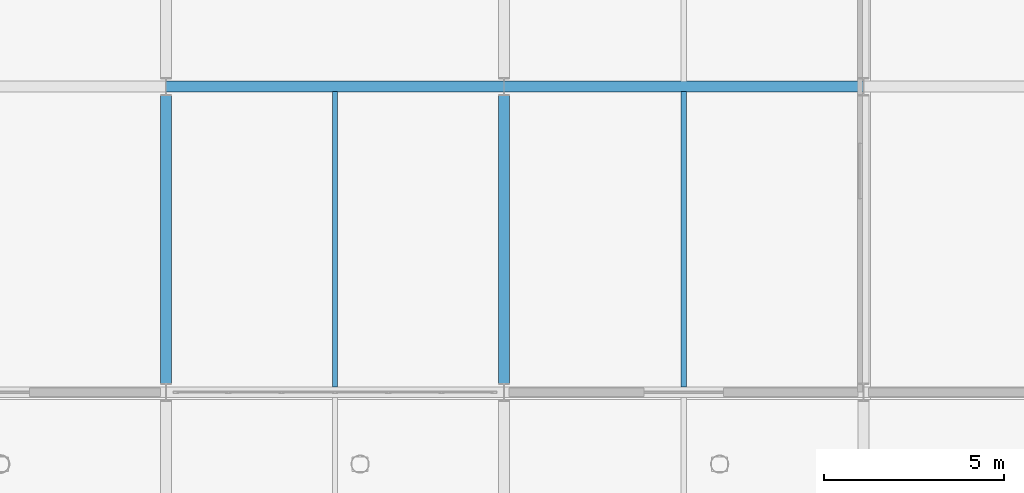
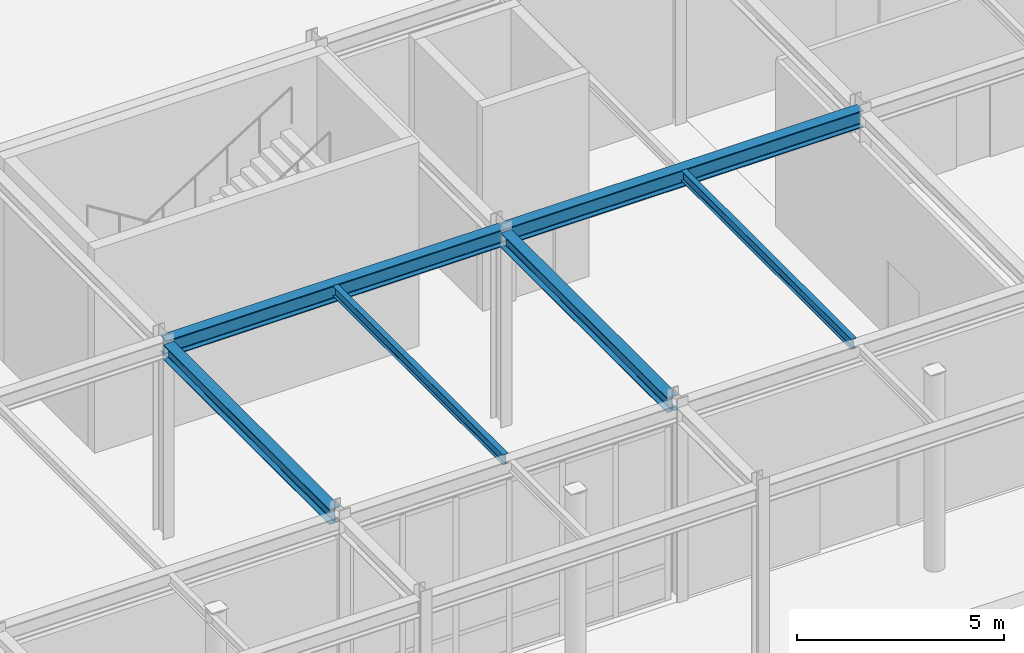
# One storey, part 74 of 146: 6 beams.
"""IFC4 building model written with IfcOpenShell, lengths in metres."""

from ifc_helpers import new_model, si_unit, direction, frame, origin, origin_2d, place, context, subcontext, project, spatial, i_section, extrude, material, material_profile, profile_set, type_object, element, save


model = new_model("IFC4")

# Units and contexts
model_context = context("Model", 3, precision=1e-05, world=origin(), true_north=direction((0.0, 1.0)))
body_context = subcontext(model_context, "Body", "Model", "MODEL_VIEW")
ifc_project = project(units=[si_unit("LENGTHUNIT", "METRE"), si_unit("AREAUNIT", "SQUARE_METRE"), si_unit("VOLUMEUNIT", "CUBIC_METRE"), si_unit("PLANEANGLEUNIT", "RADIAN"), si_unit("MASSUNIT", "GRAM", prefix="KILO")], contexts=[model_context])

# Site, building, storey
site_placement = place(None, origin())
site = spatial("IfcSite", under=ifc_project, at=site_placement, CompositionType="ELEMENT")
building_placement = place(site_placement, origin())
building = spatial("IfcBuilding", under=site, at=building_placement, Name="Kaldris Quays Convention Centre", CompositionType="ELEMENT")
storey_placement = place(building_placement, origin())
storey = spatial("IfcBuildingStorey", under=building, at=storey_placement, Name="L00", CompositionType="ELEMENT", Elevation=0.0)

# Beams
ifc_material = material(Name="Steel S355J2", Category="steel")
ifc_material_profile_1 = material_profile(ifc_material, i_section(OverallWidth=0.300048828125, OverallDepth=0.5, WebThickness=0.014404296875, FlangeThickness=0.028076171875, FilletRadius=0.027099609375, at=origin_2d()), Name="HEB 500")
ifc_profile_set_1 = profile_set([ifc_material_profile_1], Name="Steel S355J2")
beam_type_1 = type_object("IfcBeamType", Name="STRUCTURAL BEAM BM06", PredefinedType="BEAM", material=ifc_profile_set_1)
beam_1_placement = place(storey_placement, frame((164.601318359375, 28.5, 5.492919921875), z_axis=(1.0, 0.0, 0.0), x_axis=(0.0, 1.0, 0.0)))
element("IfcBeam", 1, at=beam_1_placement, inside=storey, type_object=beam_type_1, Name="L00 Girder BM06 12", PredefinedType="BEAM", context=body_context, shape_type="SweptSolid", body=[
    extrude(i_section(OverallWidth=0.300048828125, OverallDepth=0.5, WebThickness=0.014404296875, FlangeThickness=0.028076171875, FilletRadius=0.027099609375, at=origin_2d()), origin(), (0.0, 0.0, 1.0), 9.3974609375),
])
beam_2_placement = place(storey_placement, frame((174.001220703125, 28.5, 5.492919921875), z_axis=(1.0, 0.0, 0.0), x_axis=(0.0, 1.0, 0.0)))
element("IfcBeam", 2, at=beam_2_placement, inside=storey, type_object=beam_type_1, Name="L00 Girder BM06 13", PredefinedType="BEAM", context=body_context, shape_type="SweptSolid", body=[
    extrude(i_section(OverallWidth=0.300048828125, OverallDepth=0.5, WebThickness=0.014404296875, FlangeThickness=0.028076171875, FilletRadius=0.027099609375, at=origin_2d()), origin(), (0.0, 0.0, 1.0), 9.99755859375),
])
ifc_material_profile_2 = material_profile(ifc_material, i_section(OverallWidth=0.300048828125, OverallDepth=0.43994140625, WebThickness=0.011474609375, FlangeThickness=0.02099609375, FilletRadius=0.027099609375, at=origin_2d()), Name="HEA 450")
ifc_profile_set_2 = profile_set([ifc_material_profile_2], Name="Steel S355J2")
beam_type_2 = type_object("IfcBeamType", Name="STRUCTURAL BEAM BM14", PredefinedType="BEAM", material=ifc_profile_set_2)
for number, where, z_axis, x_axis, name in (
    (3, (164.60009765625, 20.243896484375, 5.52294921875), (0.0, 1.0, 0.0), (-1.0, 0.0, 0.0), "L00 Girder BM14 25"),
    (4, (174.0, 20.243896484375, 5.52294921875), (0.0, 1.0, 0.0), (-1.0, 0.0, 0.0), "L00 Girder BM14 28"),
):
    element("IfcBeam", number, at=place(storey_placement, frame(where, z_axis=z_axis, x_axis=x_axis)), inside=storey, type_object=beam_type_2, Name=name, PredefinedType="BEAM", context=body_context, shape_type="SweptSolid", body=[
        extrude(i_section(OverallWidth=0.300048828125, OverallDepth=0.43994140625, WebThickness=0.011474609375, FlangeThickness=0.02099609375, FilletRadius=0.027099609375, at=origin_2d()), origin(), (0.0, 0.0, 1.0), 8.01220703125),
    ])
ifc_material_profile_3 = material_profile(ifc_material, i_section(OverallWidth=0.14990234375, OverallDepth=0.300048828125, WebThickness=0.007080078125, FlangeThickness=0.0107421875, FilletRadius=0.014892578125, at=origin_2d()), Name="IPE 300")
ifc_profile_set_3 = profile_set([ifc_material_profile_3], Name="Steel S355J2")
beam_type_3 = type_object("IfcBeamType", Name="STRUCTURAL BEAM JT04", PredefinedType="JOIST", material=ifc_profile_set_3)
for number, where, z_axis, x_axis, name in (
    (5, (169.300048828125, 20.14404296875, 5.593017578125), (0.0, 1.0, 0.0), (-1.0, 0.0, 0.0), "L00 Secondary Joist JT04 7"),
    (6, (179.0, 20.14404296875, 5.593017578125), (0.0, 1.0, 0.0), (-1.0, 0.0, 0.0), "L00 Secondary Joist JT04 8"),
):
    element("IfcBeam", number, at=place(storey_placement, frame(where, z_axis=z_axis, x_axis=x_axis)), inside=storey, type_object=beam_type_3, Name=name, PredefinedType="JOIST", context=body_context, shape_type="SweptSolid", body=[
        extrude(i_section(OverallWidth=0.14990234375, OverallDepth=0.300048828125, WebThickness=0.007080078125, FlangeThickness=0.0107421875, FilletRadius=0.014892578125, at=origin_2d()), origin(), (0.0, 0.0, 1.0), 8.2119140625),
    ])

save(model, "model.ifc")
